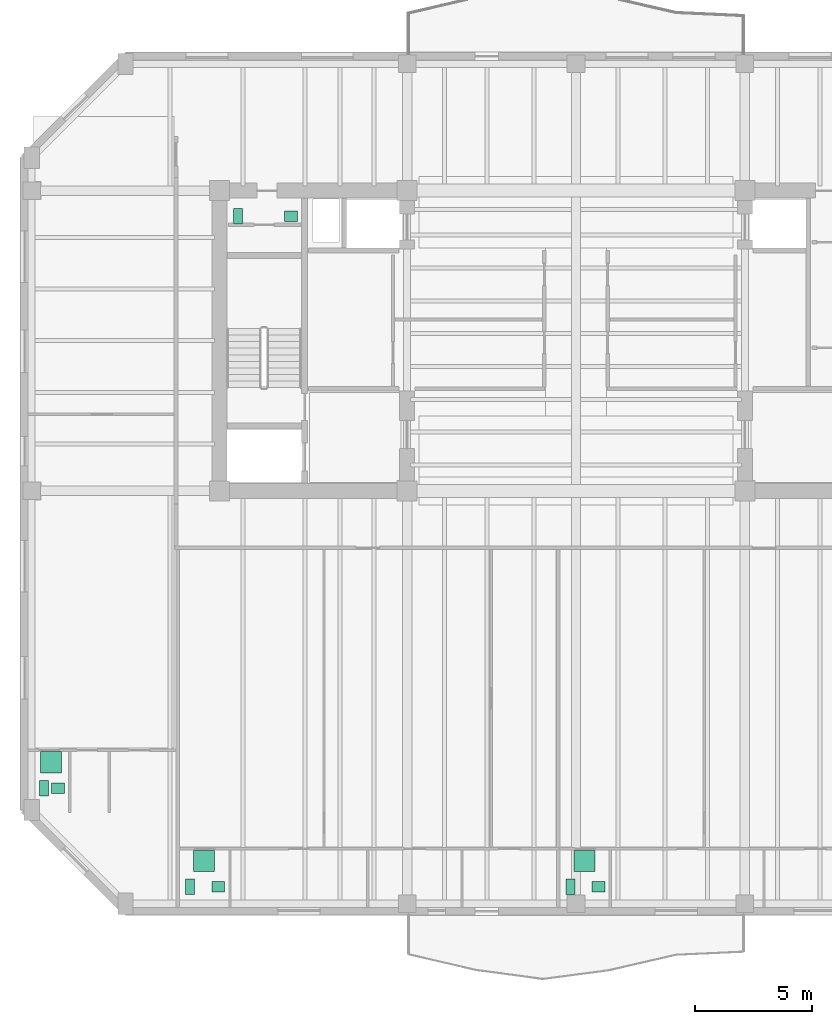
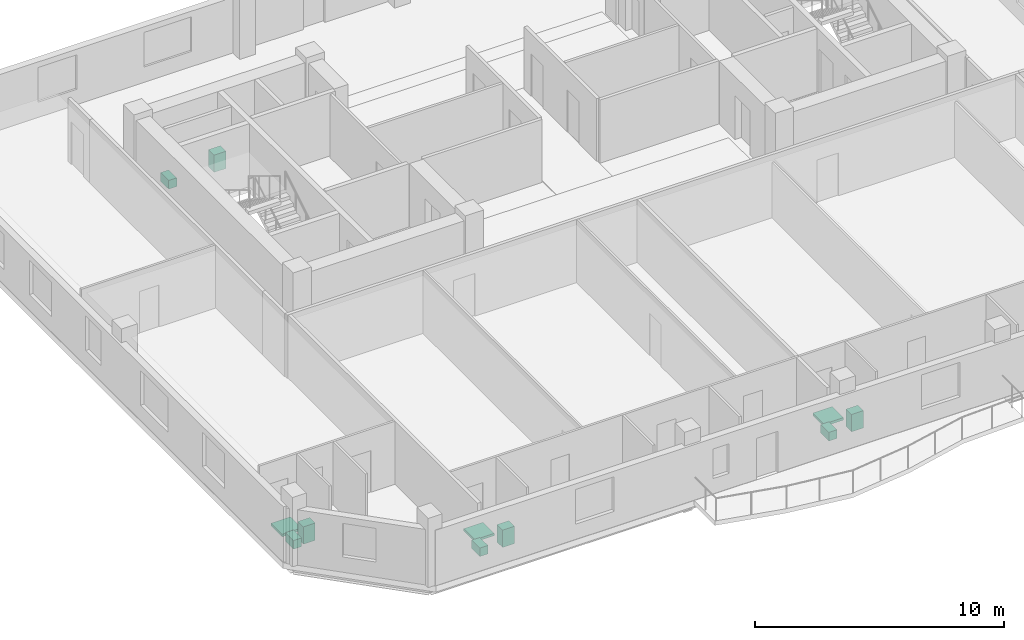
# One storey, part 11 of 11: 11 sanitary terminals.
"""IFC4 building model written with IfcOpenShell, lengths in metres."""

from ifc_helpers import new_model, si_unit, direction, frame, origin, origin_2d, place, context, subcontext, project, spatial, rectangle, extrude, material, type_object, element, save


model = new_model("IFC4")

# Units and contexts
model_context = context("Model", 3, precision=1e-05, world=origin(), true_north=direction((0.0, 1.0)))
body_context = subcontext(model_context, "Body", "Model", "MODEL_VIEW")
ifc_project = project(units=[si_unit("LENGTHUNIT", "METRE"), si_unit("AREAUNIT", "SQUARE_METRE"), si_unit("VOLUMEUNIT", "CUBIC_METRE"), si_unit("PLANEANGLEUNIT", "RADIAN"), si_unit("MASSUNIT", "GRAM", prefix="KILO")], contexts=[model_context])

# Site, building, storey
site_placement = place(None, origin())
site = spatial("IfcSite", under=ifc_project, at=site_placement, CompositionType="ELEMENT")
building_placement = place(site_placement, origin())
building = spatial("IfcBuilding", under=site, at=building_placement, Name="Kranthara Brick Stack", CompositionType="ELEMENT")
storey_placement = place(building_placement, frame((0.0, 0.0, 210.89990234375)))
storey = spatial("IfcBuildingStorey", under=building, at=storey_placement, Name="L54", CompositionType="ELEMENT", Elevation=210.89990234375)

# Sanitary terminals
ifc_material_1 = material(Name="Vitreous china sanitary porcelain", Category="other")
sanitary_terminal_type_1 = type_object("IfcSanitaryTerminalType", Name="SAN-BASIN", PredefinedType="WASHHANDBASIN", material=ifc_material_1)
for number, where, z_axis, x_axis, name in (
    (1, (15.85009765625, 32.5048828125, 0.0), (0.0, 0.0, 1.0), (1.0, 0.0, 0.0), "L54 Washbasin 295"),
    (2, (12.75, 3.925048828125, 0.0), (0.0, 0.0, 1.0), (1.0, 0.0, 0.0), "L54 Washbasin 296"),
    (3, (28.964111328125, 3.925048828125, 0.0), (0.0, 0.0, 1.0), (1.0, 0.0, 0.0), "L54 Washbasin 297"),
    (4, (5.925048828125, 8.125, 0.0), (0.0, 0.0, 1.0), (1.0, 0.0, 0.0), "L54 Washbasin 298"),
):
    element("IfcSanitaryTerminal", number, at=place(storey_placement, frame(where, z_axis=z_axis, x_axis=x_axis)), inside=storey, type_object=sanitary_terminal_type_1, Name=name, PredefinedType="WASHHANDBASIN", context=body_context, shape_type="SweptSolid", body=[
        extrude(rectangle(XDim=0.550048828125, YDim=0.449951171875, at=origin_2d()), origin(), (0.0, 0.0, 1.0), 0.85009765625),
    ])
ifc_material_2 = material(Name="Acrylic and porcelain shower tray", Category="other")
sanitary_terminal_type_2 = type_object("IfcSanitaryTerminalType", Name="SAN-SHOWER", PredefinedType="SHOWER", material=ifc_material_2)
for number, where, z_axis, x_axis, name in (
    (5, (12.14990234375, 5.030029296875, 0.0), (0.0, 0.0, 1.0), (1.0, 0.0, 0.0), "L54 Shower Tray 296"),
    (6, (28.364013671875, 5.030029296875, 0.0), (0.0, 0.0, 1.0), (1.0, 0.0, 0.0), "L54 Shower Tray 297"),
    (7, (5.623046875, 9.22998046875, 0.0), (0.0, 0.0, 1.0), (1.0, 0.0, 0.0), "L54 Shower Tray 298"),
):
    element("IfcSanitaryTerminal", number, at=place(storey_placement, frame(where, z_axis=z_axis, x_axis=x_axis)), inside=storey, type_object=sanitary_terminal_type_2, Name=name, PredefinedType="SHOWER", context=body_context, shape_type="SweptSolid", body=[
        extrude(rectangle(XDim=0.89990234375, YDim=0.89990234375, at=origin_2d()), origin(), (0.0, 0.0, 1.0), 0.1201171875),
    ])
ifc_material_3 = material(Name="Vitreous china sanitary porcelain", Category="other")
sanitary_terminal_type_3 = type_object("IfcSanitaryTerminalType", Name="SAN-WC-PAN", PredefinedType="TOILETPAN", material=ifc_material_3)
for number, where, z_axis, x_axis, name in (
    (8, (13.60009765625, 32.5048828125, 0.000244140625), (0.0, 0.0, 1.0), (1.0, 0.0, 0.0), "L54 WC Pan 295"),
    (9, (11.550048828125, 3.925048828125, 0.000244140625), (0.0, 0.0, 1.0), (1.0, 0.0, 0.0), "L54 WC Pan 296"),
    (10, (27.763916015625, 3.925048828125, 0.000244140625), (0.0, 0.0, 1.0), (1.0, 0.0, 0.0), "L54 WC Pan 297"),
    (11, (5.320068359375, 8.125, 0.000244140625), (0.0, 0.0, 1.0), (1.0, 0.0, 0.0), "L54 WC Pan 298"),
):
    element("IfcSanitaryTerminal", number, at=place(storey_placement, frame(where, z_axis=z_axis, x_axis=x_axis)), inside=storey, type_object=sanitary_terminal_type_3, Name=name, PredefinedType="TOILETPAN", context=body_context, shape_type="SweptSolid", body=[
        extrude(rectangle(XDim=0.3798828125, YDim=0.64990234375, at=origin_2d()), origin(), (0.0, 0.0, 1.0), 0.419921875),
    ])

save(model, "model.ifc")
